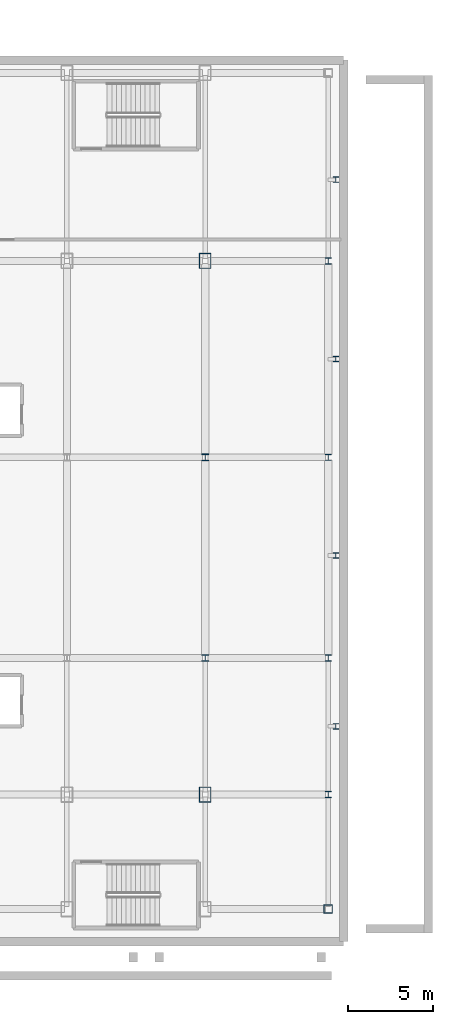
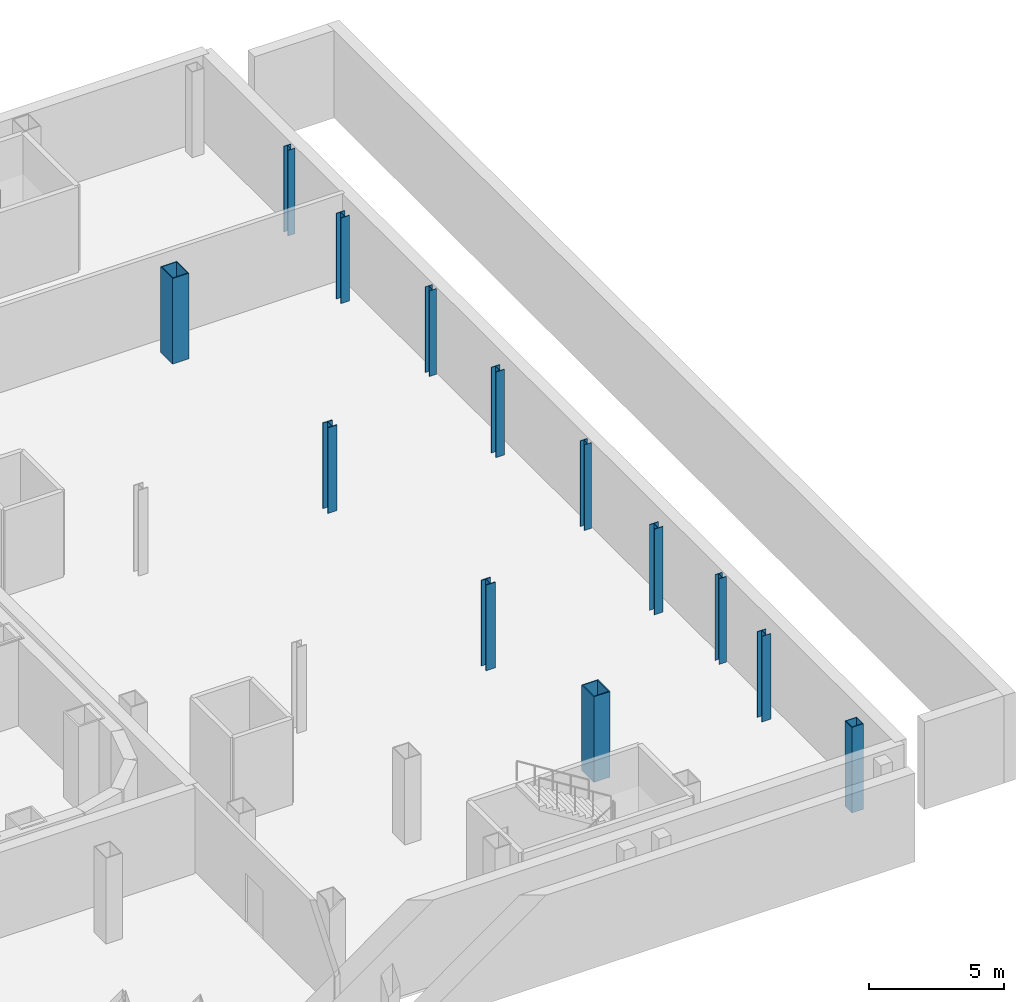
# One storey, part 3 of 16: 13 columns.
"""IFC4 building model written with IfcOpenShell, lengths in metres."""

import ifcopenshell
import ifcopenshell.guid

model = None  # the IFC model being written
_history = None  # IfcOwnerHistory: only IFC2X3 demands one
_inside = {}  # id of a spatial element -> (the spatial element, [elements in it])
_under = {}  # id of a project, library or spatial element -> (it, [spatial elements below it])
_declared = {}  # id of a project -> (the project, [libraries it declares])
_typed = {}  # id of a type object -> (the type object, [elements of that type])
_made_of = {}  # id of a material, layer set ... -> (it, [elements and type objects made of it])


def new_model(schema):
    """Start an empty IFC model of exactly this schema.

    Asked for "IFC4X3", IfcOpenShell would pick the latest addendum, in which some entities
    have other attributes; the version numbers below select the first issue.
    IFC2X3 requires an IfcOwnerHistory on every rooted entity: one is made here for all.
    """
    global model, _history
    if schema == "IFC4X3":
        model = ifcopenshell.file(schema_version=(4, 3, 0, 0))
    else:
        model = ifcopenshell.file(schema=schema)
    _inside.clear()
    _under.clear()
    _declared.clear()
    _typed.clear()
    _made_of.clear()
    _history = None
    if model.schema == "IFC2X3":
        org = make("IfcOrganization", Name="unknown")
        user = make(
            "IfcPersonAndOrganization",
            ThePerson=make("IfcPerson", FamilyName="unknown"),
            TheOrganization=org,
        )
        app = make(
            "IfcApplication",
            ApplicationDeveloper=org,
            Version="unknown",
            ApplicationFullName="unknown",
            ApplicationIdentifier="unknown",
        )
        _history = make(
            "IfcOwnerHistory",
            OwningUser=user,
            OwningApplication=app,
            ChangeAction="ADDED",
            CreationDate=0,
        )
    return model


def make(cls, **values):
    """One entity of the class cls with the attributes given. An attribute that is None is left unset."""
    return model.create_entity(
        cls, **{name: value for name, value in values.items() if value is not None}
    )


def rooted(cls, **values):
    """An entity with a GlobalId (a new one), such as an element, a storey or a relation."""
    return make(cls, GlobalId=ifcopenshell.guid.new(), OwnerHistory=_history, **values)


def si_unit(unit_type, name, prefix=None):
    """IfcSIUnit, for example si_unit("LENGTHUNIT", "METRE", prefix="MILLI")."""
    return make("IfcSIUnit", UnitType=unit_type, Prefix=prefix, Name=name)


def assignment(units):
    """IfcUnitAssignment: the units of a project."""
    return None if units is None else make("IfcUnitAssignment", Units=units)


def point(xyz):
    """IfcCartesianPoint."""
    return None if xyz is None else make("IfcCartesianPoint", Coordinates=xyz)


def direction(xyz):
    """IfcDirection."""
    return None if xyz is None else make("IfcDirection", DirectionRatios=xyz)


def frame(location, z_axis=None, x_axis=None):
    """IfcAxis2Placement3D, a coordinate frame: its origin and axes. An axis left out is left unset."""
    return make(
        "IfcAxis2Placement3D",
        Location=point(location),
        Axis=direction(z_axis),
        RefDirection=direction(x_axis),
    )


def frame_2d(location, x_axis=None):
    """IfcAxis2Placement2D, a coordinate frame in the plane: its origin and x axis."""
    return make(
        "IfcAxis2Placement2D", Location=point(location), RefDirection=direction(x_axis)
    )


def origin():
    """The frame at (0, 0, 0) with its axes left unset."""
    return frame((0.0, 0.0, 0.0))


def origin_2d():
    """The frame at (0, 0) in the plane with its x axis left unset."""
    return frame_2d((0.0, 0.0))


def place(relative_to, where):
    """IfcLocalPlacement: puts the frame where relative to a parent placement (None: the world)."""
    return make(
        "IfcLocalPlacement", PlacementRelTo=relative_to, RelativePlacement=where
    )


def context(
    kind, dimensions, precision=None, world=None, true_north=None, identifier=None
):
    """IfcGeometricRepresentationContext, for example the 3D "Model" context."""
    return make(
        "IfcGeometricRepresentationContext",
        ContextIdentifier=identifier,
        ContextType=kind,
        CoordinateSpaceDimension=dimensions,
        Precision=precision,
        WorldCoordinateSystem=world,
        TrueNorth=true_north,
    )


def subcontext(parent, identifier, kind, view, scale=None):
    """IfcGeometricRepresentationSubContext, for example "Body" below "Model"."""
    return make(
        "IfcGeometricRepresentationSubContext",
        ContextIdentifier=identifier,
        ContextType=kind,
        ParentContext=parent,
        TargetScale=scale,
        TargetView=view,
    )


def project(units=None, contexts=None):
    """IfcProject with its units and contexts."""
    return rooted(
        "IfcProject",
        Name="project",
        RepresentationContexts=contexts,
        UnitsInContext=assignment(units),
    )


def spatial(cls, under=None, at=None, **own):
    """A site, building, storey or space (cls), placed at a placement, below another one or the project."""
    s = rooted(cls, ObjectPlacement=at, **own)
    if under is not None:
        _under.setdefault(under.id(), (under, []))[1].append(s)
    return s


def profile(cls, at=None, kind="AREA", **sizes):
    """A parametric profile (cls). Its sizes go by their IFC names, for example OverallWidth=200.0."""
    return make(cls, ProfileType=kind, Position=at, **sizes)


def hollow_rectangle(**sizes):
    """IfcRectangleHollowProfileDef."""
    return profile("IfcRectangleHollowProfileDef", **sizes)


def i_section(**sizes):
    """IfcIShapeProfileDef."""
    return profile("IfcIShapeProfileDef", **sizes)


def extrude(swept, where, along, depth):
    """IfcExtrudedAreaSolid: the profile swept, set in the frame where, extruded along a direction by depth."""
    return make(
        "IfcExtrudedAreaSolid",
        SweptArea=swept,
        Position=where,
        ExtrudedDirection=direction(along),
        Depth=depth,
    )


def shape(context_of_items, identifier, shape_type, items):
    """IfcShapeRepresentation: the items that make up one representation, for example the "Body"."""
    return make(
        "IfcShapeRepresentation",
        ContextOfItems=context_of_items,
        RepresentationIdentifier=identifier,
        RepresentationType=shape_type,
        Items=items,
    )


def source(mapping_origin, context_of_items, identifier, shape_type, items):
    """IfcRepresentationMap: a shape defined once, which mapped items show again and again."""
    return make(
        "IfcRepresentationMap",
        MappingOrigin=mapping_origin,
        MappedRepresentation=shape(context_of_items, identifier, shape_type, items),
    )


def transform(
    local_origin,
    x_axis=None,
    y_axis=None,
    z_axis=None,
    scale=None,
    scale2=None,
    scale3=None,
    uniform=True,
):
    """IfcCartesianTransformationOperator3D, or its non-uniform kind. x_axis, y_axis, z_axis: its Axis1, 2, 3."""
    if uniform:
        return make(
            "IfcCartesianTransformationOperator3D",
            Axis1=direction(x_axis),
            Axis2=direction(y_axis),
            LocalOrigin=point(local_origin),
            Scale=scale,
            Axis3=direction(z_axis),
        )
    return make(
        "IfcCartesianTransformationOperator3DnonUniform",
        Axis1=direction(x_axis),
        Axis2=direction(y_axis),
        LocalOrigin=point(local_origin),
        Scale=scale,
        Axis3=direction(z_axis),
        Scale2=scale2,
        Scale3=scale3,
    )


def mapped(mapping_source, mapping_target):
    """IfcMappedItem: shows the shape of a source again, moved by a transform."""
    return make(
        "IfcMappedItem", MappingSource=mapping_source, MappingTarget=mapping_target
    )


def material(Name=None, Category=None):
    """IfcMaterial."""
    return make("IfcMaterial", Name=Name, Category=Category)


def material_profile(
    of_material, cross_section, Name=None, Category=None, Priority=None
):
    """IfcMaterialProfile: a cross section and its material."""
    return make(
        "IfcMaterialProfile",
        Name=Name,
        Material=of_material,
        Profile=cross_section,
        Priority=Priority,
        Category=Category,
    )


def profile_set(profiles, Name=None, composite=None):
    """IfcMaterialProfileSet."""
    return make(
        "IfcMaterialProfileSet",
        Name=Name,
        MaterialProfiles=profiles,
        CompositeProfile=composite,
    )


def made_of(thing, what):
    """Note that an element or type object is made of a material, layer set ...; save() writes the relation."""
    if what is not None:
        _made_of.setdefault(what.id(), (what, []))[1].append(thing)
    return thing


def type_object(cls, material=None, **own):
    """A type object (cls), such as IfcWallType, which elements share."""
    return made_of(rooted(cls, **own), material)


def element(
    cls,
    number,
    at=None,
    inside=None,
    cuts=None,
    type_object=None,
    material=None,
    context=None,
    identifier="Body",
    shape_type=None,
    held_by="IfcProductDefinitionShape",
    body=None,
    shapes=None,
    **own,
):
    """One element of the class cls, such as IfcWall. Its Tag is "e" and its number.

    at: its placement. inside: the storey or other place that contains it. cuts: it is an
    opening in that element (IfcRelVoidsElement). A single representation is given by context,
    identifier, shape_type and body (its items); several are given by shapes. held_by: the class
    of the entity that holds the representations. save() writes the other relations.
    """
    e = rooted(cls, Tag="e%d" % number, ObjectPlacement=at, **own)
    if body is not None:
        shapes = [shape(context, identifier, shape_type, body)]
    if shapes is not None:
        e.Representation = make(held_by, Representations=shapes)
    if inside is not None:
        _inside.setdefault(inside.id(), (inside, []))[1].append(e)
    if cuts is not None:
        rooted(
            "IfcRelVoidsElement", RelatingBuildingElement=cuts, RelatedOpeningElement=e
        )
    if type_object is not None:
        _typed.setdefault(type_object.id(), (type_object, []))[1].append(e)
    return made_of(e, material)


def aggregate(whole, parts):
    """IfcRelAggregates: a whole, such as a stair, and the parts it consists of."""
    return rooted("IfcRelAggregates", RelatingObject=whole, RelatedObjects=parts)


def save(model, path):
    """Write the relations noted so far, then the file.

    IfcRelAggregates (storeys below a building ...), IfcRelContainedInSpatialStructure (elements
    in a storey), IfcRelDefinesByType, IfcRelAssociatesMaterial and IfcRelDeclares: one each for
    every whole, place, type object, material and project.
    """
    for whole, parts in _under.values():
        aggregate(whole, parts)
    for where, things in _inside.values():
        rooted(
            "IfcRelContainedInSpatialStructure",
            RelatedElements=things,
            RelatingStructure=where,
        )
    for kind, things in _typed.values():
        rooted("IfcRelDefinesByType", RelatedObjects=things, RelatingType=kind)
    for what, things in _made_of.values():
        rooted("IfcRelAssociatesMaterial", RelatedObjects=things, RelatingMaterial=what)
    for by, libraries in _declared.values():
        rooted("IfcRelDeclares", RelatingContext=by, RelatedDefinitions=libraries)
    model.write(path)


model = new_model("IFC4")

# Units and contexts
model_context = context("Model", 3, precision=1e-05, world=origin(), true_north=direction((0.0, 1.0)))
body_context = subcontext(model_context, "Body", "Model", "MODEL_VIEW")
ifc_project = project(units=[si_unit("LENGTHUNIT", "METRE"), si_unit("AREAUNIT", "SQUARE_METRE"), si_unit("VOLUMEUNIT", "CUBIC_METRE"), si_unit("PLANEANGLEUNIT", "RADIAN"), si_unit("MASSUNIT", "GRAM", prefix="KILO")], contexts=[model_context])

# Site, building, storey
site_placement = place(None, origin())
site = spatial("IfcSite", under=ifc_project, at=site_placement, CompositionType="ELEMENT")
building_placement = place(site_placement, origin())
building = spatial("IfcBuilding", under=site, at=building_placement, Name="Kolveth Station Tower", CompositionType="ELEMENT")
storey_placement = place(building_placement, frame((0.0, 0.0, -4.199951171875)))
storey = spatial("IfcBuildingStorey", under=building, at=storey_placement, Name="B1", CompositionType="ELEMENT", Elevation=-4.199951171875)

# Columns
ifc_material = material(Name="Steel S355", Category="steel")
ifc_material_profile_1 = material_profile(ifc_material, hollow_rectangle(XDim=0.699951171875, YDim=0.89990234375, WallThickness=0.0400390625, at=origin_2d()), Name="BOX900x700x40")
ifc_profile_set_1 = profile_set([ifc_material_profile_1], Name="Steel S355")
column_type_1 = type_object("IfcColumnType", Name="Col_SC1", PredefinedType="COLUMN", material=ifc_profile_set_1)
shared_shape_1 = source(origin(), body_context, "Body", "SweptSolid", [
    extrude(hollow_rectangle(XDim=0.699951171875, YDim=0.89990234375, WallThickness=0.0400390625, at=origin_2d()), origin(), (0.0, 0.0, 1.0), 3.8798828125),
])
for number, where, z_axis, x_axis, name in (
    (1, (63.5, -2.5, 0.0), (0.0, 0.0, 1.0), (1.0, 0.0, 0.0), "B1 Station Column SE-3-2"),
    (2, (63.5, 28.75, 0.0), (0.0, 0.0, 1.0), (1.0, 0.0, 0.0), "B1 Station Column SE-3-5"),
):
    element("IfcColumn", number, at=place(storey_placement, frame(where, z_axis=z_axis, x_axis=x_axis)), inside=storey, type_object=column_type_1, Name=name, PredefinedType="COLUMN", context=body_context, shape_type="MappedRepresentation", body=[
        mapped(shared_shape_1, transform((0.0, 0.0, 0.0), x_axis=(1.0, 0.0, 0.0), y_axis=(0.0, 1.0, 0.0), z_axis=(0.0, 0.0, 1.0), scale=1.0)),
    ])
ifc_material_profile_2 = material_profile(ifc_material, i_section(OverallWidth=0.39892578125, OverallDepth=0.39306640625, WebThickness=0.022705078125, FlangeThickness=0.03662109375, at=origin_2d()), Name="W360x287")
ifc_profile_set_2 = profile_set([ifc_material_profile_2], Name="Steel S355")
column_type_2 = type_object("IfcColumnType", Name="Col_CW1", PredefinedType="COLUMN", material=ifc_profile_set_2)
shared_shape_2 = source(origin(), body_context, "Body", "SweptSolid", [
    extrude(i_section(OverallWidth=0.39892578125, OverallDepth=0.39306640625, WebThickness=0.022705078125, FlangeThickness=0.03662109375, at=origin_2d()), origin(), (0.0, 0.0, 1.0), 3.8798828125),
])
for number, where, z_axis, x_axis, name in (
    (3, (63.5, 5.5, 0.0), (0.0, 0.0, 1.0), (1.0, 0.0, 0.0), "B1 Station Column SE-3-3"),
    (4, (63.5, 17.25, 0.0), (0.0, 0.0, 1.0), (1.0, 0.0, 0.0), "B1 Station Column SE-3-4"),
):
    element("IfcColumn", number, at=place(storey_placement, frame(where, z_axis=z_axis, x_axis=x_axis)), inside=storey, type_object=column_type_2, Name=name, PredefinedType="COLUMN", context=body_context, shape_type="MappedRepresentation", body=[
        mapped(shared_shape_2, transform((0.0, 0.0, 0.0), x_axis=(1.0, 0.0, 0.0), y_axis=(0.0, 1.0, 0.0), z_axis=(0.0, 0.0, 1.0), scale=1.0)),
    ])
ifc_material_profile_3 = material_profile(ifc_material, hollow_rectangle(XDim=0.5, YDim=0.5, WallThickness=0.02490234375, at=origin_2d()), Name="HSS500x500x25")
ifc_profile_set_3 = profile_set([ifc_material_profile_3], Name="Steel S355")
column_type_3 = type_object("IfcColumnType", Name="Col_SC2", PredefinedType="COLUMN", material=ifc_profile_set_3)
shared_shape_3 = source(origin(), body_context, "Body", "SweptSolid", [
    extrude(hollow_rectangle(XDim=0.5, YDim=0.5, WallThickness=0.02490234375, at=origin_2d()), origin(), (0.0, 0.0, 1.0), 3.8798828125),
])
column_placement = place(storey_placement, frame((70.699951171875, -9.199951171875, 0.0), z_axis=(0.0, 0.0, 1.0), x_axis=(1.0, 0.0, 0.0)))
element("IfcColumn", 5, at=column_placement, inside=storey, type_object=column_type_3, Name="B1 Station Column SE-4-1", PredefinedType="COLUMN", context=body_context, shape_type="MappedRepresentation", body=[
    mapped(shared_shape_3, transform((0.0, 0.0, 0.0), x_axis=(1.0, 0.0, 0.0), y_axis=(0.0, 1.0, 0.0), z_axis=(0.0, 0.0, 1.0), scale=1.0)),
])
ifc_material_profile_4 = material_profile(ifc_material, i_section(OverallWidth=0.3740234375, OverallDepth=0.3720703125, WebThickness=0.016357421875, FlangeThickness=0.026123046875, at=origin_2d()), Name="W360x196")
ifc_profile_set_4 = profile_set([ifc_material_profile_4], Name="Steel S355")
column_type_4 = type_object("IfcColumnType", Name="Col_CW2", PredefinedType="COLUMN", material=ifc_profile_set_4)
shared_shape_4 = source(origin(), body_context, "Body", "SweptSolid", [
    extrude(i_section(OverallWidth=0.3740234375, OverallDepth=0.3720703125, WebThickness=0.016357421875, FlangeThickness=0.026123046875, at=origin_2d()), origin(), (0.0, 0.0, 1.0), 3.8798828125),
])
for number, where, z_axis, x_axis, name in (
    (6, (70.699951171875, -2.5, 0.0), (0.0, 0.0, 1.0), (1.0, 0.0, 0.0), "B1 Station Column SE-4-2"),
    (7, (70.699951171875, 5.5, 0.0), (0.0, 0.0, 1.0), (1.0, 0.0, 0.0), "B1 Station Column SE-4-3"),
    (8, (70.699951171875, 17.25, 0.0), (0.0, 0.0, 1.0), (1.0, 0.0, 0.0), "B1 Station Column SE-4-4"),
    (9, (70.699951171875, 28.75, 0.0), (0.0, 0.0, 1.0), (1.0, 0.0, 0.0), "B1 Station Column SE-4-5"),
):
    element("IfcColumn", number, at=place(storey_placement, frame(where, z_axis=z_axis, x_axis=x_axis)), inside=storey, type_object=column_type_4, Name=name, PredefinedType="COLUMN", context=body_context, shape_type="MappedRepresentation", body=[
        mapped(shared_shape_4, transform((0.0, 0.0, 0.0), x_axis=(1.0, 0.0, 0.0), y_axis=(0.0, 1.0, 0.0), z_axis=(0.0, 0.0, 1.0), scale=1.0)),
    ])
ifc_material_profile_5 = material_profile(ifc_material, i_section(OverallWidth=0.30908203125, OverallDepth=0.322998046875, WebThickness=0.013916015625, FlangeThickness=0.02294921875, at=origin_2d()), Name="W310x143")
ifc_profile_set_5 = profile_set([ifc_material_profile_5], Name="Steel S355")
column_type_5 = type_object("IfcColumnType", Name="Col_PL1", PredefinedType="PILASTER", material=ifc_profile_set_5)
shared_shape_5 = source(origin(), body_context, "Body", "SweptSolid", [
    extrude(i_section(OverallWidth=0.30908203125, OverallDepth=0.322998046875, WebThickness=0.013916015625, FlangeThickness=0.02294921875, at=origin_2d()), origin(), (0.0, 0.0, 1.0), 3.8798828125),
])
for number, where, z_axis, x_axis, name in (
    (10, (71.14990234375, 1.5, 0.0), (0.0, 0.0, 1.0), (1.0, 0.0, 0.0), "B1 Station Column SPL-1"),
    (11, (71.14990234375, 11.5, 0.0), (0.0, 0.0, 1.0), (1.0, 0.0, 0.0), "B1 Station Column SPL-2"),
    (12, (71.14990234375, 23.0, 0.0), (0.0, 0.0, 1.0), (1.0, 0.0, 0.0), "B1 Station Column SPL-3"),
    (13, (71.14990234375, 33.5, 0.0), (0.0, 0.0, 1.0), (1.0, 0.0, 0.0), "B1 Station Column SPL-4"),
):
    element("IfcColumn", number, at=place(storey_placement, frame(where, z_axis=z_axis, x_axis=x_axis)), inside=storey, type_object=column_type_5, Name=name, PredefinedType="PILASTER", context=body_context, shape_type="MappedRepresentation", body=[
        mapped(shared_shape_5, transform((0.0, 0.0, 0.0), x_axis=(1.0, 0.0, 0.0), y_axis=(0.0, 1.0, 0.0), z_axis=(0.0, 0.0, 1.0), scale=1.0)),
    ])

save(model, "model.ifc")
